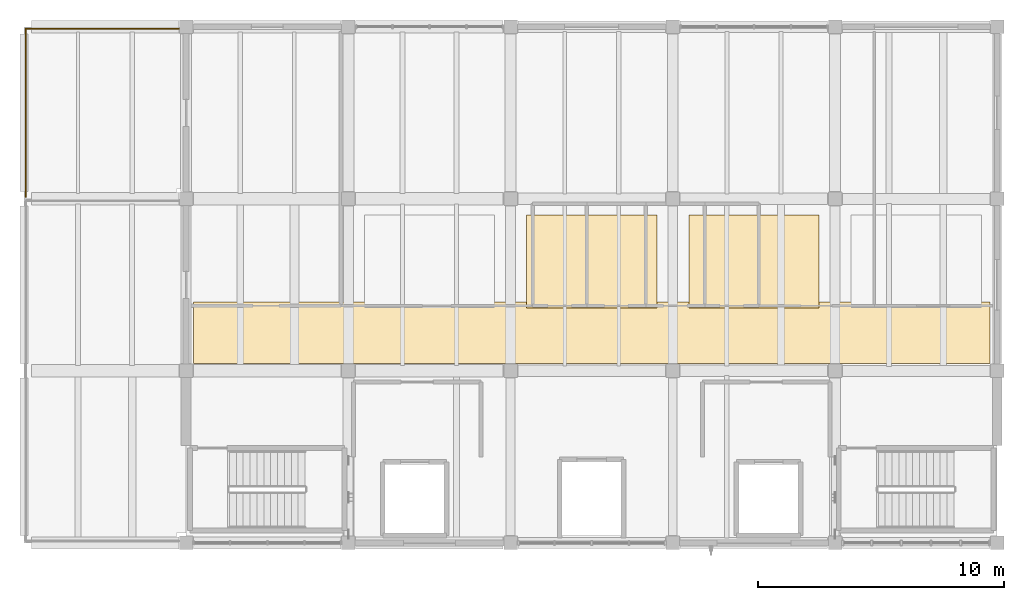
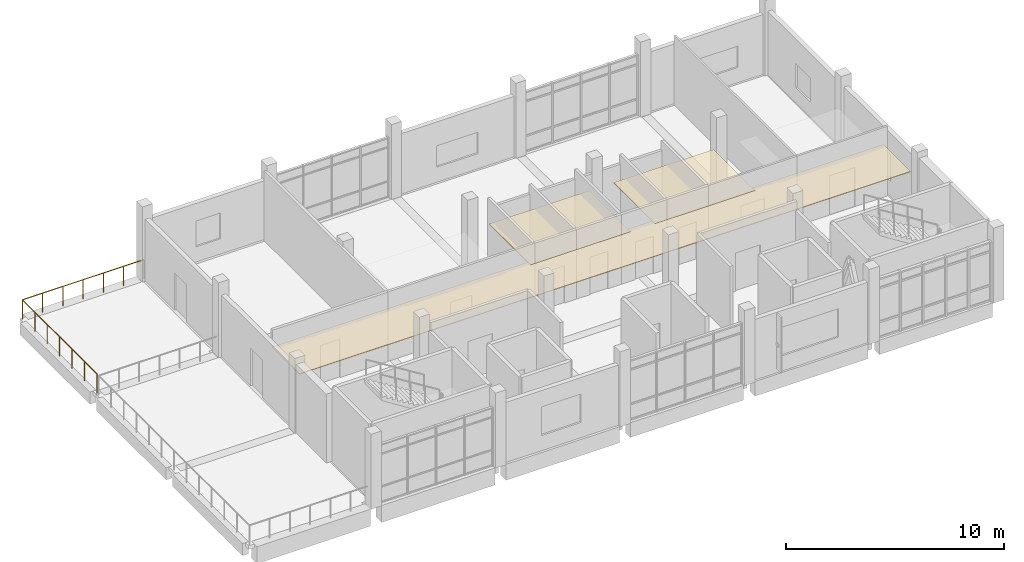
# One storey, part 11 of 12: 3 coverings, 2 railings.
"""IFC4 building model written with IfcOpenShell, lengths in metres."""

from ifc_helpers import new_model, si_unit, direction, frame, origin, origin_2d, place, context, subcontext, project, spatial, polyline, circle, outline, extrude, material, layer, layer_set, type_object, element, save


model = new_model("IFC4")

# Units and contexts
model_context = context("Model", 3, precision=1e-05, world=origin(), true_north=direction((0.0, 1.0)))
body_context = subcontext(model_context, "Body", "Model", "MODEL_VIEW")
ifc_project = project(units=[si_unit("LENGTHUNIT", "METRE"), si_unit("AREAUNIT", "SQUARE_METRE"), si_unit("VOLUMEUNIT", "CUBIC_METRE"), si_unit("PLANEANGLEUNIT", "RADIAN"), si_unit("MASSUNIT", "GRAM", prefix="KILO")], contexts=[model_context])

# Site, building, storey
site_placement = place(None, origin())
site = spatial("IfcSite", under=ifc_project, at=site_placement, CompositionType="ELEMENT")
building_placement = place(site_placement, origin())
building = spatial("IfcBuilding", under=site, at=building_placement, Name="Ciguamira Faculty of Natural Sciences", CompositionType="ELEMENT")
storey_placement = place(building_placement, frame((0.0, 0.0, 37.800048828125)))
storey = spatial("IfcBuildingStorey", under=building, at=storey_placement, Name="L09", CompositionType="ELEMENT", Elevation=37.800048828125)

# Coverings
ifc_material_1 = material(Name="Perforated white acoustic ceiling")
ifc_layer = layer(ifc_material_1, 0.0400390625, Name="Perforated white acoustic ceiling")
ifc_layer_set = layer_set([ifc_layer], Name="Perforated white acoustic ceiling")
covering_type = type_object("IfcCoveringType", Name="AcousticCeiling_AC01", PredefinedType="CEILING", material=ifc_layer_set)
covering_1_placement = place(storey_placement, frame((0.0, 0.0, 2.760009765625)))
element("IfcCovering", 1, at=covering_1_placement, inside=storey, type_object=covering_type, Name="L09 corridor acoustic ceiling", PredefinedType="CEILING", context=body_context, shape_type="SweptSolid", body=[
    extrude(outline(polyline([(70.800048828125, 101.300048828125), (103.199951171875, 101.300048828125), (103.199951171875, 103.800048828125), (70.800048828125, 103.800048828125), (70.800048828125, 101.300048828125)])), origin(), (0.0, 0.0, 1.0), 0.0400390625),
])
covering_2_placement = place(storey_placement, frame((0.0, 0.0, 2.760009765625)))
element("IfcCovering", 2, at=covering_2_placement, inside=storey, type_object=covering_type, Name="L09 research bay 02 acoustic ceiling", PredefinedType="CEILING", context=body_context, shape_type="SweptSolid", body=[
    extrude(outline(polyline([(84.35009765625, 103.550048828125), (89.64990234375, 103.550048828125), (89.64990234375, 107.35009765625), (84.35009765625, 107.35009765625), (84.35009765625, 103.550048828125)])), origin(), (0.0, 0.0, 1.0), 0.0400390625),
])
covering_3_placement = place(storey_placement, frame((0.0, 0.0, 2.760009765625)))
element("IfcCovering", 3, at=covering_3_placement, inside=storey, type_object=covering_type, Name="L09 research bay 03 acoustic ceiling", PredefinedType="CEILING", context=body_context, shape_type="SweptSolid", body=[
    extrude(outline(polyline([(90.949951171875, 103.550048828125), (96.25, 103.550048828125), (96.25, 107.35009765625), (90.949951171875, 107.35009765625), (90.949951171875, 103.550048828125)])), origin(), (0.0, 0.0, 1.0), 0.0400390625),
])

# Railings
ifc_material_2 = material(Name="Stainless steel balustrade", Category="steel")
railing_type = type_object("IfcRailingType", Name="Guardrail_GR01", PredefinedType="GUARDRAIL", material=ifc_material_2)
railing_1_placement = place(storey_placement, frame((63.97998046875, 108.080078125, 0.0)))
element("IfcRailing", 4, at=railing_1_placement, inside=storey, type_object=railing_type, Name="L09 Upper North-West Sky Terrace west guardrail", PredefinedType="GUARDRAIL", context=body_context, shape_type="SweptSolid", body=[
    extrude(circle(Radius=0.02392578125, at=origin_2d()), frame((0.0, 0.0, 1.076171875), z_axis=(0.0, 1.0, 0.0), x_axis=(-1.0, 0.0, 0.0)), (0.0, 0.0, 1.0), 6.83984375),
    extrude(circle(Radius=0.02099609375, at=origin_2d()), origin(), (0.0, 0.0, 1.0), 1.052001953125),
    extrude(circle(Radius=0.02099609375, at=origin_2d()), frame((0.0, 1.139892578125, 0.0)), (0.0, 0.0, 1.0), 1.052001953125),
    extrude(circle(Radius=0.02099609375, at=origin_2d()), frame((0.0, 2.280029296875, 0.0)), (0.0, 0.0, 1.0), 1.052001953125),
    extrude(circle(Radius=0.02099609375, at=origin_2d()), frame((0.0, 3.419921875, 0.0)), (0.0, 0.0, 1.0), 1.052001953125),
    extrude(circle(Radius=0.02099609375, at=origin_2d()), frame((0.0, 4.559814453125, 0.0)), (0.0, 0.0, 1.0), 1.052001953125),
    extrude(circle(Radius=0.02099609375, at=origin_2d()), frame((0.0, 5.699951171875, 0.0)), (0.0, 0.0, 1.0), 1.052001953125),
    extrude(circle(Radius=0.02099609375, at=origin_2d()), frame((0.0, 6.83984375, 0.0)), (0.0, 0.0, 1.0), 1.052001953125),
])
railing_2_placement = place(storey_placement, frame((63.97998046875, 114.919921875, 0.0)))
element("IfcRailing", 5, at=railing_2_placement, inside=storey, type_object=railing_type, Name="L09 Upper North-West Sky Terrace north guardrail", PredefinedType="GUARDRAIL", context=body_context, shape_type="SweptSolid", body=[
    extrude(circle(Radius=0.02392578125, at=origin_2d()), frame((0.0, 0.0, 1.076171875), z_axis=(1.0, 0.0, 0.0), x_axis=(0.0, 1.0, 0.0)), (0.0, 0.0, 1.0), 6.43994140625),
    extrude(circle(Radius=0.02099609375, at=origin_2d()), origin(), (0.0, 0.0, 1.0), 1.052001953125),
    extrude(circle(Radius=0.02099609375, at=origin_2d()), frame((1.0732421875, 0.0, 0.0)), (0.0, 0.0, 1.0), 1.052001953125),
    extrude(circle(Radius=0.02099609375, at=origin_2d()), frame((2.146728515625, 0.0, 0.0)), (0.0, 0.0, 1.0), 1.052001953125),
    extrude(circle(Radius=0.02099609375, at=origin_2d()), frame((3.219970703125, 0.0, 0.0)), (0.0, 0.0, 1.0), 1.052001953125),
    extrude(circle(Radius=0.02099609375, at=origin_2d()), frame((4.293212890625, 0.0, 0.0)), (0.0, 0.0, 1.0), 1.052001953125),
    extrude(circle(Radius=0.02099609375, at=origin_2d()), frame((5.36669921875, 0.0, 0.0)), (0.0, 0.0, 1.0), 1.052001953125),
    extrude(circle(Radius=0.02099609375, at=origin_2d()), frame((6.43994140625, 0.0, 0.0)), (0.0, 0.0, 1.0), 1.052001953125),
])

save(model, "model.ifc")
